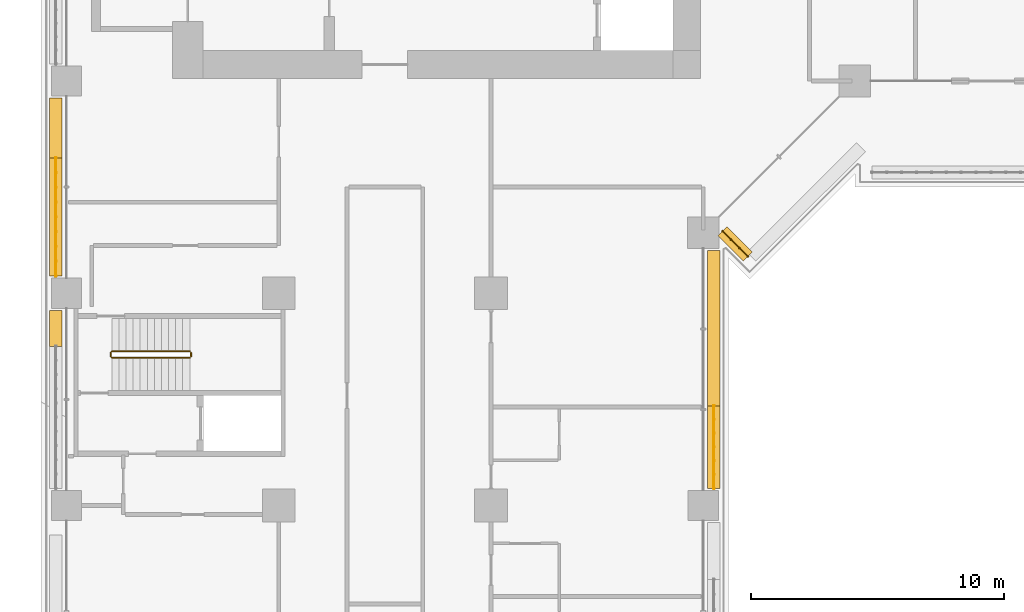
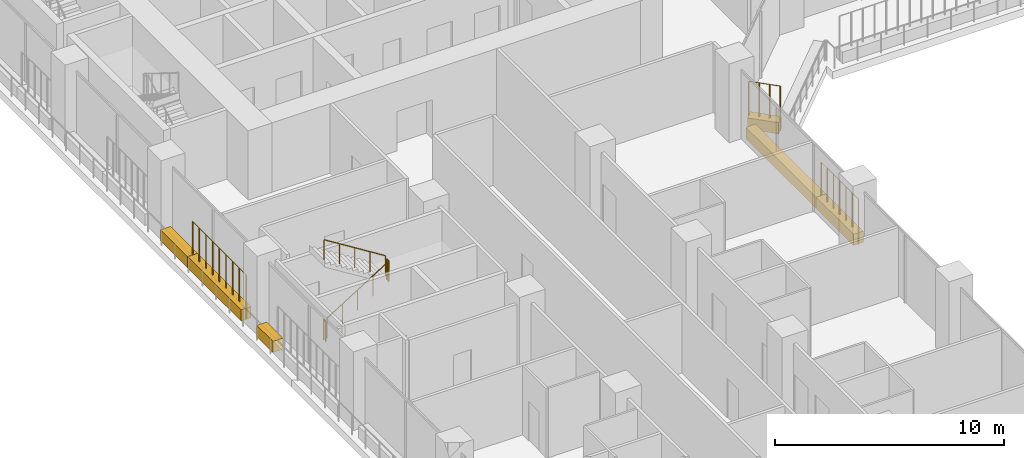
# One storey, part 22 of 28: 7 railings, 6 coverings.
"""IFC4 building model written with IfcOpenShell, lengths in metres."""

from ifc_helpers import new_model, si_unit, direction, frame, origin, origin_2d, place, context, subcontext, project, spatial, rectangle, circle, extrude, material, material_profile, profile_set, type_object, element, save


model = new_model("IFC4")

# Units and contexts
model_context = context("Model", 3, precision=1e-05, world=origin(), true_north=direction((0.0, 1.0)))
body_context = subcontext(model_context, "Body", "Model", "MODEL_VIEW")
ifc_project = project(units=[si_unit("LENGTHUNIT", "METRE"), si_unit("AREAUNIT", "SQUARE_METRE"), si_unit("VOLUMEUNIT", "CUBIC_METRE"), si_unit("PLANEANGLEUNIT", "RADIAN"), si_unit("MASSUNIT", "GRAM", prefix="KILO")], contexts=[model_context])

# Site, building, storey
site_placement = place(None, origin())
site = spatial("IfcSite", under=ifc_project, at=site_placement, CompositionType="ELEMENT")
building_placement = place(site_placement, origin())
building = spatial("IfcBuilding", under=site, at=building_placement, Name="Kawkab Arch Medical Tower", CompositionType="ELEMENT")
storey_placement = place(building_placement, frame((0.0, 0.0, 89.60009765625)))
storey = spatial("IfcBuildingStorey", under=building, at=storey_placement, Name="L20", CompositionType="ELEMENT", Elevation=89.60009765625)

# Coverings
ifc_material_1 = material(Name="Planting soil in a precast trough", Category="concrete")
ifc_material_profile = material_profile(ifc_material_1, rectangle(XDim=0.5, YDim=0.60009765625, at=origin_2d()), Name="Trough 500x600")
ifc_profile_set = profile_set([ifc_material_profile], Name="Planting soil in a precast trough")
covering_type = type_object("IfcCoveringType", Name="Planter trough 500 x 600", PredefinedType="USERDEFINED", material=ifc_profile_set)
covering_1_placement = place(storey_placement, frame((-0.419921875, -35.699951171875, 0.2998046875), z_axis=(0.0, 1.0, 0.0), x_axis=(-1.0, 0.0, 0.0)))
element("IfcCovering", 1, at=covering_1_placement, inside=storey, type_object=covering_type, Name="Planter L20.LOG-01-01.10", ObjectType="PLANTER", PredefinedType="USERDEFINED", context=body_context, shape_type="SweptSolid", body=[
    extrude(rectangle(XDim=0.5, YDim=0.60009765625, at=origin_2d()), origin(), (0.0, 0.0, 1.0), 1.419921875),
])
covering_2_placement = place(storey_placement, frame((-0.419921875, -32.919921875, 0.2998046875), z_axis=(0.0, 1.0, 0.0), x_axis=(-1.0, 0.0, 0.0)))
element("IfcCovering", 2, at=covering_2_placement, inside=storey, type_object=covering_type, Name="Planter L20.LOG-01-01.11", ObjectType="PLANTER", PredefinedType="USERDEFINED", context=body_context, shape_type="SweptSolid", body=[
    extrude(rectangle(XDim=0.5, YDim=0.60009765625, at=origin_2d()), origin(), (0.0, 0.0, 1.0), 4.676025390625),
])
covering_3_placement = place(storey_placement, frame((-0.419921875, -28.243896484375, 0.2998046875), z_axis=(0.0, 1.0, 0.0), x_axis=(-1.0, 0.0, 0.0)))
element("IfcCovering", 3, at=covering_3_placement, inside=storey, type_object=covering_type, Name="Planter L20.LOG-01-01.12", ObjectType="PLANTER", PredefinedType="USERDEFINED", context=body_context, shape_type="SweptSolid", body=[
    extrude(rectangle(XDim=0.5, YDim=0.60009765625, at=origin_2d()), origin(), (0.0, 0.0, 1.0), 2.364013671875),
])
covering_4_placement = place(storey_placement, frame((26.967041015625, -32.14697265625, 0.2998046875), z_axis=(-0.707192746389, 0.707020805532, 0.0), x_axis=(-0.707020805532, -0.707192746389, 0.0)))
element("IfcCovering", 4, at=covering_4_placement, inside=storey, type_object=covering_type, Name="Planter L20.LOG-01-01.43", ObjectType="PLANTER", PredefinedType="USERDEFINED", context=body_context, shape_type="SweptSolid", body=[
    extrude(rectangle(XDim=0.5, YDim=0.60009765625, at=origin_2d()), origin(), (0.0, 0.0, 1.0), 1.419921875),
])
covering_5_placement = place(storey_placement, frame((25.6201171875, -31.905029296875, 0.2998046875), z_axis=(0.0, -1.0, 0.0), x_axis=(1.0, 0.0, 0.0)))
element("IfcCovering", 5, at=covering_5_placement, inside=storey, type_object=covering_type, Name="Planter L20.LOG-01-01.44", ObjectType="PLANTER", PredefinedType="USERDEFINED", context=body_context, shape_type="SweptSolid", body=[
    extrude(rectangle(XDim=0.5, YDim=0.60009765625, at=origin_2d()), origin(), (0.0, 0.0, 1.0), 6.14794921875),
])
covering_6_placement = place(storey_placement, frame((25.6201171875, -38.052978515625, 0.2998046875), z_axis=(0.0, -1.0, 0.0), x_axis=(1.0, 0.0, 0.0)))
element("IfcCovering", 6, at=covering_6_placement, inside=storey, type_object=covering_type, Name="Planter L20.LOG-01-01.45", ObjectType="PLANTER", PredefinedType="USERDEFINED", context=body_context, shape_type="SweptSolid", body=[
    extrude(rectangle(XDim=0.5, YDim=0.60009765625, at=origin_2d()), origin(), (0.0, 0.0, 1.0), 3.26708984375),
])

# Railings
ifc_material_2 = material(Name="Bronze anodised aluminium trellis for climbing plants", Category="aluminium")
railing_type_1 = type_object("IfcRailingType", Name="Planting trellis 2400", PredefinedType="USERDEFINED", material=ifc_material_2)
railing_1_placement = place(storey_placement, frame((-0.419921875, -32.919921875, 0.0)))
element("IfcRailing", 7, at=railing_1_placement, inside=storey, type_object=railing_type_1, Name="Planting trellis L20.LOG-01-01.11", ObjectType="TRELLIS", PredefinedType="USERDEFINED", context=body_context, shape_type="SweptSolid", body=[
    extrude(circle(Radius=0.01513671875, at=origin_2d()), frame((0.0, 0.0, 2.384765625), z_axis=(0.0, 1.0, 0.0), x_axis=(-1.0, 0.0, 0.0)), (0.0, 0.0, 1.0), 4.676025390625),
    extrude(circle(Radius=0.030029296875, at=origin_2d()), origin(), (0.0, 0.0, 1.0), 2.369873046875),
    extrude(circle(Radius=0.030029296875, at=origin_2d()), frame((0.0, 0.58447265625, 0.0)), (0.0, 0.0, 1.0), 2.369873046875),
    extrude(circle(Radius=0.030029296875, at=origin_2d()), frame((0.0, 1.1689453125, 0.0)), (0.0, 0.0, 1.0), 2.369873046875),
    extrude(circle(Radius=0.030029296875, at=origin_2d()), frame((0.0, 1.75341796875, 0.0)), (0.0, 0.0, 1.0), 2.369873046875),
    extrude(circle(Radius=0.030029296875, at=origin_2d()), frame((0.0, 2.337890625, 0.0)), (0.0, 0.0, 1.0), 2.369873046875),
    extrude(circle(Radius=0.030029296875, at=origin_2d()), frame((0.0, 2.922607421875, 0.0)), (0.0, 0.0, 1.0), 2.369873046875),
    extrude(circle(Radius=0.030029296875, at=origin_2d()), frame((0.0, 3.507080078125, 0.0)), (0.0, 0.0, 1.0), 2.369873046875),
    extrude(circle(Radius=0.030029296875, at=origin_2d()), frame((0.0, 4.091552734375, 0.0)), (0.0, 0.0, 1.0), 2.369873046875),
    extrude(circle(Radius=0.030029296875, at=origin_2d()), frame((0.0, 4.676025390625, 0.0)), (0.0, 0.0, 1.0), 2.369873046875),
])
railing_2_placement = place(storey_placement, frame((26.967041015625, -32.14697265625, 0.0)))
element("IfcRailing", 8, at=railing_2_placement, inside=storey, type_object=railing_type_1, Name="Planting trellis L20.LOG-01-01.43", ObjectType="TRELLIS", PredefinedType="USERDEFINED", context=body_context, shape_type="SweptSolid", body=[
    extrude(circle(Radius=0.01513671875, at=origin_2d()), frame((0.0, 0.0, 2.384765625), z_axis=(-0.707192746389, 0.707020805532, 0.0), x_axis=(-0.707020805532, -0.707192746389, 0.0)), (0.0, 0.0, 1.0), 1.419921875),
    extrude(circle(Radius=0.030029296875, at=origin_2d()), origin(), (0.0, 0.0, 1.0), 2.369873046875),
    extrude(circle(Radius=0.030029296875, at=origin_2d()), frame((-0.334716796875, 0.334716796875, 0.0)), (0.0, 0.0, 1.0), 2.369873046875),
    extrude(circle(Radius=0.030029296875, at=origin_2d()), frame((-0.66943359375, 0.669189453125, 0.0)), (0.0, 0.0, 1.0), 2.369873046875),
    extrude(circle(Radius=0.030029296875, at=origin_2d()), frame((-1.004150390625, 1.00390625, 0.0)), (0.0, 0.0, 1.0), 2.369873046875),
])
railing_3_placement = place(storey_placement, frame((25.6201171875, -38.052978515625, 0.0)))
element("IfcRailing", 9, at=railing_3_placement, inside=storey, type_object=railing_type_1, Name="Planting trellis L20.LOG-01-01.45", ObjectType="TRELLIS", PredefinedType="USERDEFINED", context=body_context, shape_type="SweptSolid", body=[
    extrude(circle(Radius=0.01513671875, at=origin_2d()), frame((0.0, 0.0, 2.384765625), z_axis=(0.0, -1.0, 0.0), x_axis=(1.0, 0.0, 0.0)), (0.0, 0.0, 1.0), 3.26708984375),
    extrude(circle(Radius=0.030029296875, at=origin_2d()), origin(), (0.0, 0.0, 1.0), 2.369873046875),
    extrude(circle(Radius=0.030029296875, at=origin_2d()), frame((0.0, -0.54443359375, 0.0)), (0.0, 0.0, 1.0), 2.369873046875),
    extrude(circle(Radius=0.030029296875, at=origin_2d()), frame((0.0, -1.089111328125, 0.0)), (0.0, 0.0, 1.0), 2.369873046875),
    extrude(circle(Radius=0.030029296875, at=origin_2d()), frame((0.0, -1.633544921875, 0.0)), (0.0, 0.0, 1.0), 2.369873046875),
    extrude(circle(Radius=0.030029296875, at=origin_2d()), frame((0.0, -2.177978515625, 0.0)), (0.0, 0.0, 1.0), 2.369873046875),
    extrude(circle(Radius=0.030029296875, at=origin_2d()), frame((0.0, -2.72265625, 0.0)), (0.0, 0.0, 1.0), 2.369873046875),
    extrude(circle(Radius=0.030029296875, at=origin_2d()), frame((0.0, -3.26708984375, 0.0)), (0.0, 0.0, 1.0), 2.369873046875),
])
ifc_material_3 = material(Name="Stainless steel", Category="steel")
railing_type_2 = type_object("IfcRailingType", Name="Stair guard 1100", PredefinedType="GUARDRAIL", material=ifc_material_3)
railing_4_placement = place(storey_placement, frame((1.800048828125, -36.14990234375, 0.1748046875)))
element("IfcRailing", 10, at=railing_4_placement, inside=storey, type_object=railing_type_2, Name="L20 ST6 stair guard 1", PredefinedType="GUARDRAIL", context=body_context, shape_type="SweptSolid", body=[
    extrude(circle(Radius=0.02392578125, at=origin_2d()), frame((0.0, 0.0, 1.076171875), z_axis=(0.847979421464, 0.0, 0.530029150871), x_axis=(0.0, 1.0, 0.0)), (0.0, 0.0, 1.0), 3.632080078125),
    extrude(circle(Radius=0.02099609375, at=origin_2d()), origin(), (0.0, 0.0, 1.0), 1.052001953125),
    extrude(circle(Radius=0.02099609375, at=origin_2d()), frame((0.77001953125, 0.0, 0.481201171875)), (0.0, 0.0, 1.0), 1.052001953125),
    extrude(circle(Radius=0.02099609375, at=origin_2d()), frame((1.5400390625, 0.0, 0.96240234375)), (0.0, 0.0, 1.0), 1.052001953125),
    extrude(circle(Radius=0.02099609375, at=origin_2d()), frame((2.309814453125, 0.0, 1.44384765625)), (0.0, 0.0, 1.0), 1.052001953125),
    extrude(circle(Radius=0.02099609375, at=origin_2d()), frame((3.079833984375, 0.0, 1.925048828125)), (0.0, 0.0, 1.0), 1.052001953125),
])
railing_5_placement = place(storey_placement, frame((4.929931640625, -36.10009765625, 2.099853515625)))
element("IfcRailing", 11, at=railing_5_placement, inside=storey, type_object=railing_type_2, Name="L20 ST6 stair guard 2", PredefinedType="GUARDRAIL", context=body_context, shape_type="SweptSolid", body=[
    extrude(circle(Radius=0.02392578125, at=origin_2d()), frame((0.0, 0.0, 1.076171875), z_axis=(0.0, 1.0, 0.0), x_axis=(-1.0, 0.0, 0.0)), (0.0, 0.0, 1.0), 0.150146484375),
    extrude(circle(Radius=0.02099609375, at=origin_2d()), origin(), (0.0, 0.0, 1.0), 1.052001953125),
    extrude(circle(Radius=0.02099609375, at=origin_2d()), frame((0.0, 0.150146484375, 0.0)), (0.0, 0.0, 1.0), 1.052001953125),
])
railing_6_placement = place(storey_placement, frame((4.8798828125, -35.89990234375, 2.27490234375)))
element("IfcRailing", 12, at=railing_6_placement, inside=storey, type_object=railing_type_2, Name="L20 ST6 stair guard 3", PredefinedType="GUARDRAIL", context=body_context, shape_type="SweptSolid", body=[
    extrude(circle(Radius=0.02392578125, at=origin_2d()), frame((0.0, 0.0, 1.076171875), z_axis=(-0.847979421464, 0.0, 0.530029150871), x_axis=(0.0, -1.0, 0.0)), (0.0, 0.0, 1.0), 3.632080078125),
    extrude(circle(Radius=0.02099609375, at=origin_2d()), origin(), (0.0, 0.0, 1.0), 1.052001953125),
    extrude(circle(Radius=0.02099609375, at=origin_2d()), frame((-0.77001953125, 0.0, 0.481201171875)), (0.0, 0.0, 1.0), 1.052001953125),
    extrude(circle(Radius=0.02099609375, at=origin_2d()), frame((-1.5400390625, 0.0, 0.96240234375)), (0.0, 0.0, 1.0), 1.052001953125),
    extrude(circle(Radius=0.02099609375, at=origin_2d()), frame((-2.309814453125, 0.0, 1.44384765625)), (0.0, 0.0, 1.0), 1.052001953125),
    extrude(circle(Radius=0.02099609375, at=origin_2d()), frame((-3.079833984375, 0.0, 1.925048828125)), (0.0, 0.0, 1.0), 1.052001953125),
])
railing_7_placement = place(storey_placement, frame((1.75, -36.10009765625, 0.0)))
element("IfcRailing", 13, at=railing_7_placement, inside=storey, type_object=railing_type_2, Name="L20 ST6 stair guard 4", PredefinedType="GUARDRAIL", context=body_context, shape_type="SweptSolid", body=[
    extrude(circle(Radius=0.02392578125, at=origin_2d()), frame((0.0, 0.0, 1.076171875), z_axis=(0.0, 1.0, 0.0), x_axis=(-1.0, 0.0, 0.0)), (0.0, 0.0, 1.0), 0.150146484375),
    extrude(circle(Radius=0.02099609375, at=origin_2d()), origin(), (0.0, 0.0, 1.0), 1.052001953125),
    extrude(circle(Radius=0.02099609375, at=origin_2d()), frame((0.0, 0.150146484375, 0.0)), (0.0, 0.0, 1.0), 1.052001953125),
])

save(model, "model.ifc")
